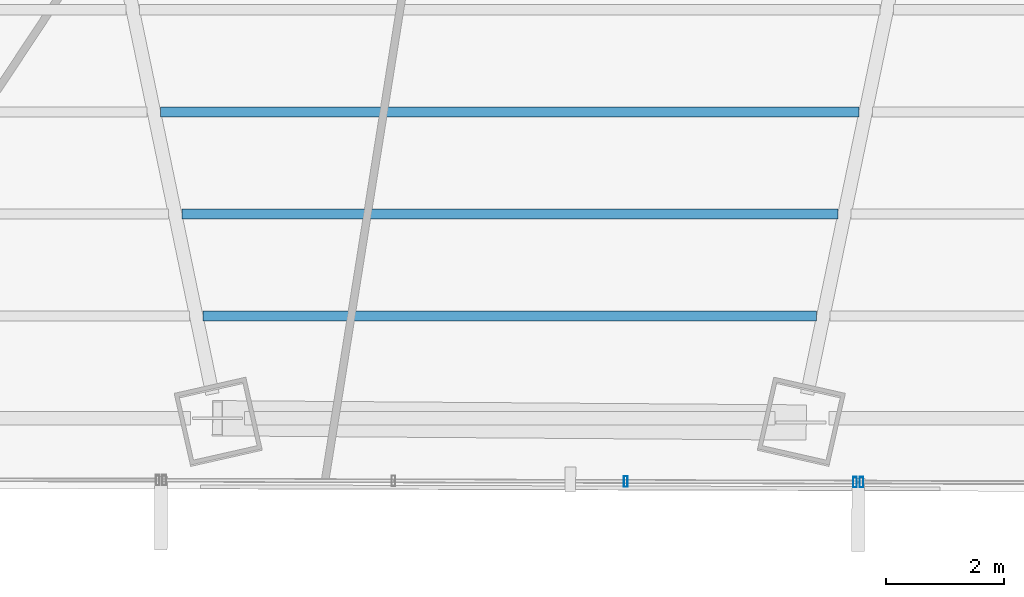
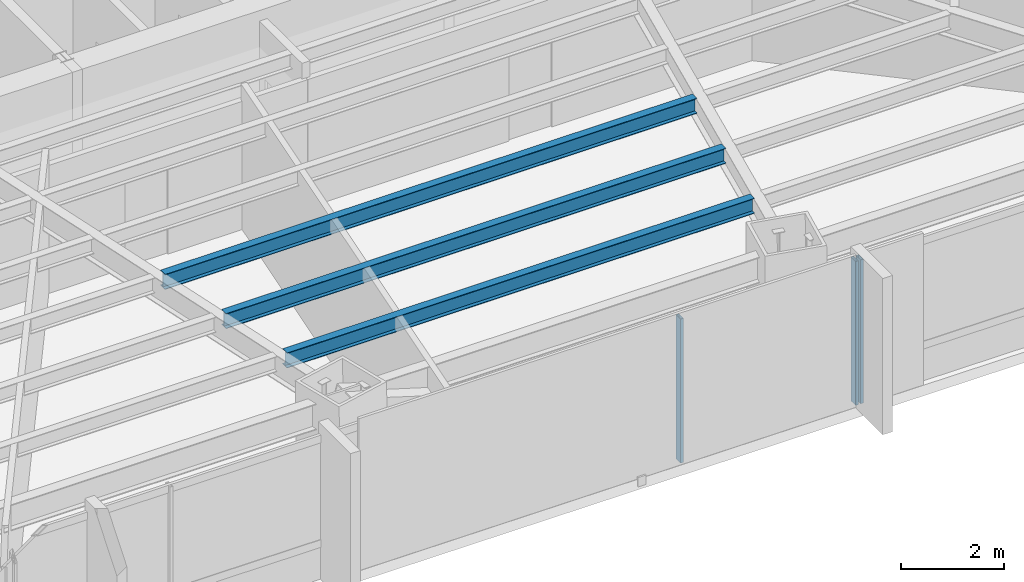
# One storey, part 9 of 37: 3 beams, 3 members, 2 elements without a shape of their own.
"""IFC4 building model written with IfcOpenShell, lengths in metres."""

from ifc_helpers import new_model, si_unit, direction, frame, origin, origin_2d, place, context, subcontext, project, spatial, hollow_rectangle, i_section, extrude, source, transform, mapped, material, material_profile, profile_set, type_object, type_shapes, element, aggregate, save


model = new_model("IFC4")

# Units and contexts
model_context = context("Model", 3, precision=1e-05, world=origin(), true_north=direction((0.0, 1.0)))
body_context = subcontext(model_context, "Body", "Model", "MODEL_VIEW")
ifc_project = project(units=[si_unit("LENGTHUNIT", "METRE"), si_unit("AREAUNIT", "SQUARE_METRE"), si_unit("VOLUMEUNIT", "CUBIC_METRE"), si_unit("PLANEANGLEUNIT", "RADIAN"), si_unit("MASSUNIT", "GRAM", prefix="KILO")], contexts=[model_context])

# Site, building, storey
site_placement = place(None, origin())
site = spatial("IfcSite", under=ifc_project, at=site_placement, CompositionType="ELEMENT")
building_placement = place(site_placement, origin())
building = spatial("IfcBuilding", under=site, at=building_placement, Name="Caelisora Broadcast Tower", CompositionType="ELEMENT")
storey_placement = place(building_placement, frame((0.0, 0.0, 45.85009765625)))
storey = spatial("IfcBuildingStorey", under=building, at=storey_placement, Name="L11", CompositionType="ELEMENT", Elevation=45.85009765625)

# Beams
ifc_material_1 = material(Name="Steel Grade 350 (AS/NZS 3679.1)", Category="steel")
ifc_material_profile_1 = material_profile(ifc_material_1, i_section(OverallWidth=0.172119140625, OverallDepth=0.358642578125, WebThickness=0.008056640625, FlangeThickness=0.012939453125, at=origin_2d()), Name="Steel Grade 350 (AS/NZS 3679.1)")
ifc_profile_set_1 = profile_set([ifc_material_profile_1], Name="Steel Grade 350 (AS/NZS 3679.1)")
beam_type = type_object("IfcBeamType", Name="SB02", PredefinedType="JOIST", material=ifc_profile_set_1)
shared_shape_1 = source(origin(), body_context, "Body", "SweptSolid", [
    extrude(i_section(OverallWidth=0.172119140625, OverallDepth=0.358642578125, WebThickness=0.008056640625, FlangeThickness=0.012939453125, at=origin_2d()), origin(), (0.0, 0.0, 1.0), 11.88818359375),
])
beam_1_placement = place(storey_placement, frame((32.055908203125, 10.447998046875, 3.220703125), z_axis=(1.0, 0.0, 0.0), x_axis=(0.0, 1.0, 0.0)))
element("IfcBeam", 1, at=beam_1_placement, inside=storey, type_object=beam_type, Name="L11 beam SB02", PredefinedType="JOIST", context=body_context, shape_type="MappedRepresentation", body=[
    mapped(shared_shape_1, transform((0.0, 0.0, 0.0), scale=1.0)),
])
shared_shape_2 = source(origin(), body_context, "Body", "SweptSolid", [
    extrude(i_section(OverallWidth=0.172119140625, OverallDepth=0.358642578125, WebThickness=0.008056640625, FlangeThickness=0.012939453125, at=origin_2d()), origin(), (0.0, 0.0, 1.0), 11.1669921875),
])
beam_2_placement = place(storey_placement, frame((32.41650390625, 8.7099609375, 3.220703125), z_axis=(1.0, 0.0, 0.0), x_axis=(0.0, 1.0, 0.0)))
element("IfcBeam", 2, at=beam_2_placement, inside=storey, type_object=beam_type, Name="L11 beam SB02", PredefinedType="JOIST", context=body_context, shape_type="MappedRepresentation", body=[
    mapped(shared_shape_2, transform((0.0, 0.0, 0.0), scale=1.0)),
])
shared_shape_3 = source(origin(), body_context, "Body", "SweptSolid", [
    extrude(i_section(OverallWidth=0.172119140625, OverallDepth=0.358642578125, WebThickness=0.008056640625, FlangeThickness=0.012939453125, at=origin_2d()), origin(), (0.0, 0.0, 1.0), 10.44580078125),
])
type_shapes(beam_type, [shared_shape_1, shared_shape_2, shared_shape_3])
beam_3_placement = place(storey_placement, frame((32.777099609375, 6.9716796875, 3.220703125), z_axis=(1.0, 0.0, 0.0), x_axis=(0.0, 1.0, 0.0)))
element("IfcBeam", 3, at=beam_3_placement, inside=storey, type_object=beam_type, Name="L11 beam SB02", PredefinedType="JOIST", context=body_context, shape_type="MappedRepresentation", body=[
    mapped(shared_shape_3, transform((0.0, 0.0, 0.0), scale=1.0)),
])

# Curtain wall, member
ifc_material_2 = material(Name="Unitised Aluminium and Low-E Glass Curtain Wall", Category="glass")
curtain_wall_type_1 = type_object("IfcCurtainWallType", Name="CW-Z1", PredefinedType="NOTDEFINED", material=ifc_material_2)
curtain_wall_1_placement = place(storey_placement, origin())
curtain_wall_1 = element("IfcCurtainWall", 4, at=curtain_wall_1_placement, inside=storey, type_object=curtain_wall_type_1, Name="L11 curtain wall CW-Z1", PredefinedType="NOTDEFINED")
ifc_material_3 = material(Name="Aluminium 6063-T6 Anodised Terracotta Bronze", Category="aluminium")
ifc_material_profile_2 = material_profile(ifc_material_3, hollow_rectangle(XDim=0.06494140625, YDim=0.179931640625, WallThickness=0.00341796875, at=origin_2d()), Name="Aluminium 6063-T6 Anodised Terracotta Bronze")
ifc_profile_set_2 = profile_set([ifc_material_profile_2], Name="Aluminium 6063-T6 Anodised Terracotta Bronze")
member_type = type_object("IfcMemberType", Name="CWM-02", PredefinedType="MULLION", material=ifc_profile_set_2)
shared_shape_4 = source(origin(), body_context, "Body", "SweptSolid", [
    extrude(hollow_rectangle(XDim=0.06494140625, YDim=0.179931640625, WallThickness=0.00341796875, at=origin_2d()), origin(), (0.0, 0.0, 1.0), 3.39990234375),
])
type_shapes(member_type, [shared_shape_4])
member_1_placement = place(storey_placement, frame((43.986572265625, 4.146728515625, 0.0), z_axis=(0.0, 0.0, 1.0), x_axis=(1.0, 0.0, 0.0)))
member_1 = element("IfcMember", 5, at=member_1_placement, type_object=member_type, Name="L11-CW-B05 mullion #3", PredefinedType="MULLION", context=body_context, shape_type="MappedRepresentation", body=[
    mapped(shared_shape_4, transform((0.0, 0.0, 0.0), scale=1.0)),
])
aggregate(curtain_wall_1, [member_1])

# Curtain wall, members
ifc_material_4 = material(Name="Unitised Aluminium Insulated Shadow-Box Spandrel Curtain Wall", Category="aluminium")
curtain_wall_type_2 = type_object("IfcCurtainWallType", Name="CW-SP1", PredefinedType="NOTDEFINED", material=ifc_material_4)
curtain_wall_2_placement = place(storey_placement, origin())
curtain_wall_2 = element("IfcCurtainWall", 6, at=curtain_wall_2_placement, inside=storey, type_object=curtain_wall_type_2, Name="L11 curtain wall CW-SP1", PredefinedType="NOTDEFINED")
member_2_placement = place(storey_placement, frame((43.876708984375, 4.14697265625, 0.0), z_axis=(0.0, 0.0, 1.0), x_axis=(1.0, 0.0, 0.0)))
member_2 = element("IfcMember", 7, at=member_2_placement, type_object=member_type, Name="L11-CW-B06 mullion #0", PredefinedType="MULLION", context=body_context, shape_type="MappedRepresentation", body=[
    mapped(shared_shape_4, transform((0.0, 0.0, 0.0), scale=1.0)),
])
member_3_placement = place(storey_placement, frame((39.9736328125, 4.157958984375, 0.0), z_axis=(0.0, 0.0, 1.0), x_axis=(1.0, 0.0, 0.0)))
member_3 = element("IfcMember", 8, at=member_3_placement, type_object=member_type, Name="L11-CW-B06 mullion #1", PredefinedType="MULLION", context=body_context, shape_type="MappedRepresentation", body=[
    mapped(shared_shape_4, transform((0.0, 0.0, 0.0), scale=1.0)),
])
aggregate(curtain_wall_2, [member_2, member_3])

save(model, "model.ifc")
